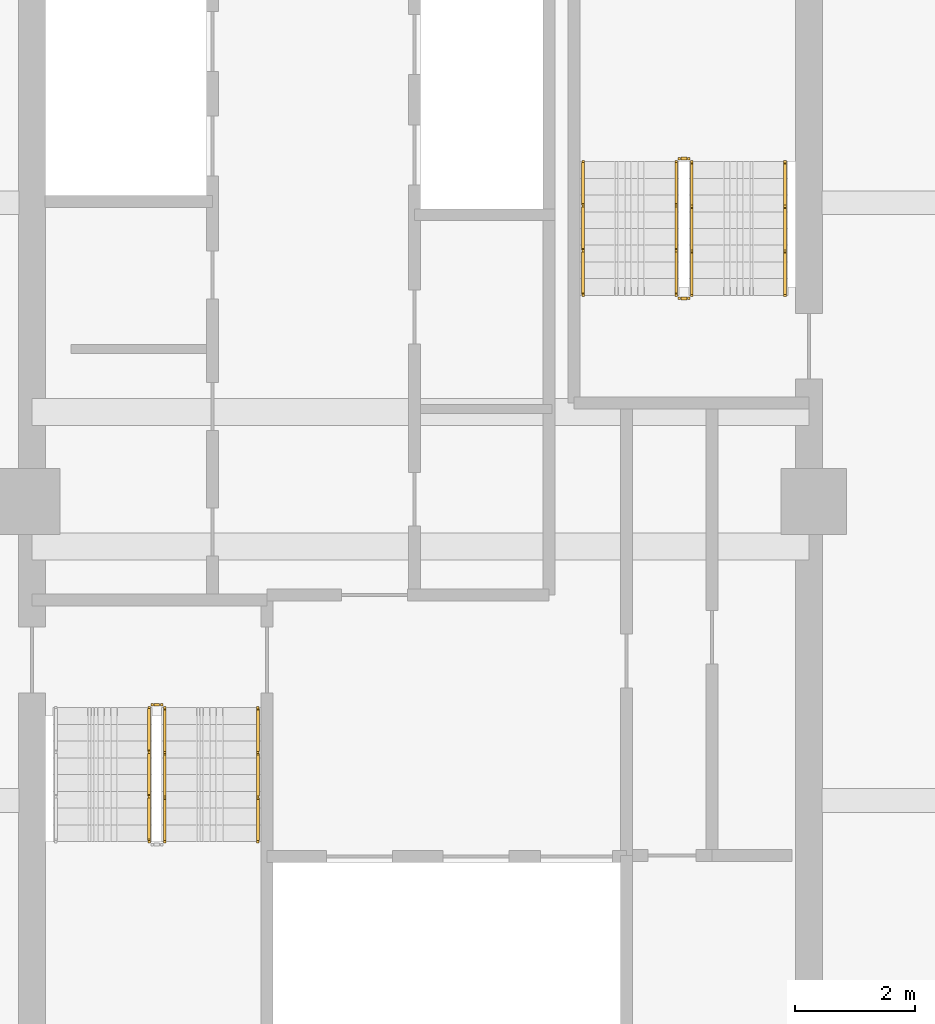
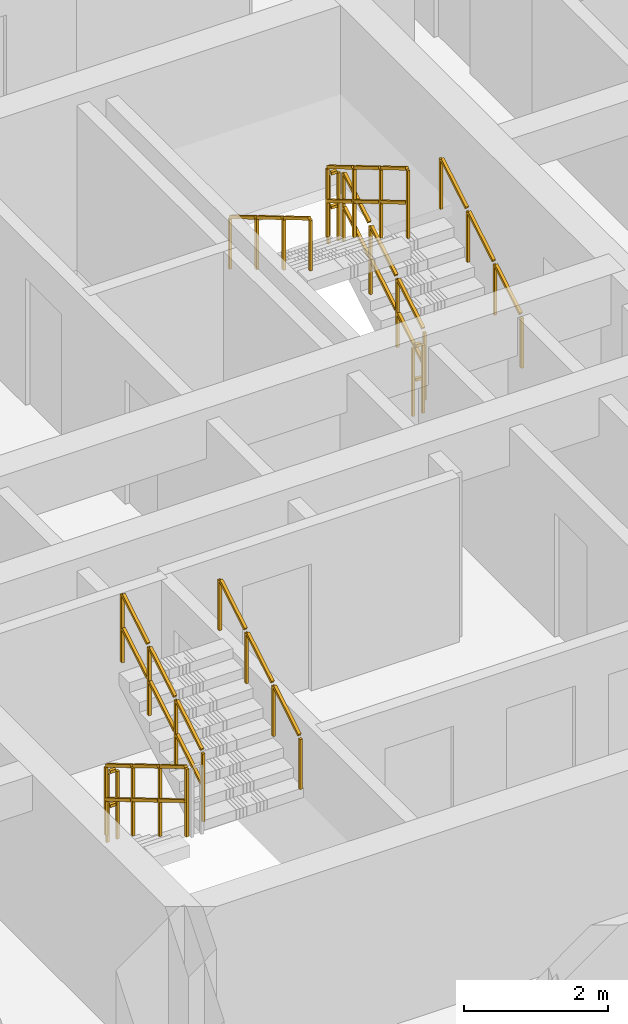
# One storey, part 11 of 13: 10 railings.
"""IFC4 building model written with IfcOpenShell, lengths in metres."""

from ifc_helpers import new_model, si_unit, direction, frame, origin, origin_2d, place, context, subcontext, project, spatial, rectangle, extrude, material, type_object, element, save


model = new_model("IFC4")

# Units and contexts
model_context = context("Model", 3, precision=1e-05, world=origin(), true_north=direction((0.0, 1.0)))
body_context = subcontext(model_context, "Body", "Model", "MODEL_VIEW")
ifc_project = project(units=[si_unit("LENGTHUNIT", "METRE"), si_unit("AREAUNIT", "SQUARE_METRE"), si_unit("VOLUMEUNIT", "CUBIC_METRE"), si_unit("PLANEANGLEUNIT", "RADIAN"), si_unit("MASSUNIT", "GRAM", prefix="KILO")], contexts=[model_context])

# Site, building, storey
site_placement = place(None, origin())
site = spatial("IfcSite", under=ifc_project, at=site_placement, CompositionType="ELEMENT")
building_placement = place(site_placement, origin())
building = spatial("IfcBuilding", under=site, at=building_placement, Name="Saelheon Loggia Tower", CompositionType="ELEMENT")
storey_placement = place(building_placement, frame((0.0, 0.0, 179.800048828125)))
storey = spatial("IfcBuildingStorey", under=building, at=storey_placement, Name="L56", CompositionType="ELEMENT", Elevation=179.800048828125)

# Railings
ifc_material_1 = material(Name="Galvanised Steel S275 Stairwell Guardrail", Category="steel")
railing_type_1 = type_object("IfcRailingType", Name="Guard_StairWell_RL_STG", PredefinedType="GUARDRAIL", material=ifc_material_1)
railing_1_placement = place(storey_placement, frame((33.4599609375, 23.550048828125, 0.16650390625)))
element("IfcRailing", 1, at=railing_1_placement, inside=storey, type_object=railing_type_1, Name="L56 ST1 stair guard 1", PredefinedType="GUARDRAIL", context=body_context, shape_type="SweptSolid", body=[
    extrude(rectangle(XDim=0.048095703125, YDim=0.048095703125, at=origin_2d()), frame((0.0, -0.028564453125, 1.19287109375), z_axis=(0.0, -0.859264461869, 0.511531606619), x_axis=(1.0, 0.0, 0.0)), (0.0, 0.0, 1.0), 0.802490234375),
    extrude(rectangle(XDim=0.048095703125, YDim=0.048095703125, at=origin_2d()), frame((0.0, -0.028564453125, 0.616943359375), z_axis=(0.0, -0.859264461869, 0.511531606619), x_axis=(1.0, 0.0, 0.0)), (0.0, 0.0, 1.0), 0.802490234375),
    extrude(rectangle(XDim=0.048095703125, YDim=0.048095703125, at=origin_2d()), frame((0.0, -0.775146484375, 1.637451171875), z_axis=(0.0, -0.859264461869, 0.511531606619), x_axis=(1.0, 0.0, 0.0)), (0.0, 0.0, 1.0), 0.802490234375),
    extrude(rectangle(XDim=0.048095703125, YDim=0.048095703125, at=origin_2d()), frame((0.0, -0.775146484375, 1.0615234375), z_axis=(0.0, -0.859264461869, 0.511531606619), x_axis=(1.0, 0.0, 0.0)), (0.0, 0.0, 1.0), 0.802490234375),
    extrude(rectangle(XDim=0.048095703125, YDim=0.048095703125, at=origin_2d()), frame((0.0, -1.52197265625, 2.081787109375), z_axis=(0.0, -0.859264461869, 0.511531606619), x_axis=(1.0, 0.0, 0.0)), (0.0, 0.0, 1.0), 0.802490234375),
    extrude(rectangle(XDim=0.048095703125, YDim=0.048095703125, at=origin_2d()), frame((0.0, -1.52197265625, 1.505859375), z_axis=(0.0, -0.859264461869, 0.511531606619), x_axis=(1.0, 0.0, 0.0)), (0.0, 0.0, 1.0), 0.802490234375),
    extrude(rectangle(XDim=0.0419921875, YDim=0.0419921875, at=origin_2d()), origin(), (0.0, 0.0, 1.0), 1.14794921875),
    extrude(rectangle(XDim=0.0419921875, YDim=0.0419921875, at=origin_2d()), frame((0.0, -0.74658203125, 0.444580078125)), (0.0, 0.0, 1.0), 1.14794921875),
    extrude(rectangle(XDim=0.0419921875, YDim=0.0419921875, at=origin_2d()), frame((0.0, -1.493408203125, 0.888916015625)), (0.0, 0.0, 1.0), 1.14794921875),
    extrude(rectangle(XDim=0.0419921875, YDim=0.0419921875, at=origin_2d()), frame((0.0, -2.239990234375, 1.33349609375)), (0.0, 0.0, 1.0), 1.14794921875),
])
railing_2_placement = place(storey_placement, frame((33.719970703125, 21.31005859375, 1.66650390625)))
element("IfcRailing", 2, at=railing_2_placement, inside=storey, type_object=railing_type_1, Name="L56 ST1 stair guard 3", PredefinedType="GUARDRAIL", context=body_context, shape_type="SweptSolid", body=[
    extrude(rectangle(XDim=0.048095703125, YDim=0.048095703125, at=origin_2d()), frame((0.0, 0.028564453125, 1.19287109375), z_axis=(0.0, 0.859264461869, 0.511531606619), x_axis=(-1.0, 0.0, 0.0)), (0.0, 0.0, 1.0), 0.802490234375),
    extrude(rectangle(XDim=0.048095703125, YDim=0.048095703125, at=origin_2d()), frame((0.0, 0.028564453125, 0.616943359375), z_axis=(0.0, 0.859264461869, 0.511531606619), x_axis=(-1.0, 0.0, 0.0)), (0.0, 0.0, 1.0), 0.802490234375),
    extrude(rectangle(XDim=0.048095703125, YDim=0.048095703125, at=origin_2d()), frame((0.0, 0.775146484375, 1.637451171875), z_axis=(0.0, 0.859264461869, 0.511531606619), x_axis=(-1.0, 0.0, 0.0)), (0.0, 0.0, 1.0), 0.802490234375),
    extrude(rectangle(XDim=0.048095703125, YDim=0.048095703125, at=origin_2d()), frame((0.0, 0.775146484375, 1.0615234375), z_axis=(0.0, 0.859264461869, 0.511531606619), x_axis=(-1.0, 0.0, 0.0)), (0.0, 0.0, 1.0), 0.802490234375),
    extrude(rectangle(XDim=0.048095703125, YDim=0.048095703125, at=origin_2d()), frame((0.0, 1.52197265625, 2.081787109375), z_axis=(0.0, 0.859264461869, 0.511531606619), x_axis=(-1.0, 0.0, 0.0)), (0.0, 0.0, 1.0), 0.802490234375),
    extrude(rectangle(XDim=0.048095703125, YDim=0.048095703125, at=origin_2d()), frame((0.0, 1.52197265625, 1.505859375), z_axis=(0.0, 0.859264461869, 0.511531606619), x_axis=(-1.0, 0.0, 0.0)), (0.0, 0.0, 1.0), 0.802490234375),
    extrude(rectangle(XDim=0.0419921875, YDim=0.0419921875, at=origin_2d()), origin(), (0.0, 0.0, 1.0), 1.14794921875),
    extrude(rectangle(XDim=0.0419921875, YDim=0.0419921875, at=origin_2d()), frame((0.0, 0.74658203125, 0.444580078125)), (0.0, 0.0, 1.0), 1.14794921875),
    extrude(rectangle(XDim=0.0419921875, YDim=0.0419921875, at=origin_2d()), frame((0.0, 1.493408203125, 0.888916015625)), (0.0, 0.0, 1.0), 1.14794921875),
    extrude(rectangle(XDim=0.0419921875, YDim=0.0419921875, at=origin_2d()), frame((0.0, 2.239990234375, 1.33349609375)), (0.0, 0.0, 1.0), 1.14794921875),
])
railing_3_placement = place(storey_placement, frame((33.510009765625, 23.60009765625, 0.0)))
element("IfcRailing", 3, at=railing_3_placement, inside=storey, type_object=railing_type_1, Name="L56 ST1 stair guard 4", PredefinedType="GUARDRAIL", context=body_context, shape_type="SweptSolid", body=[
    extrude(rectangle(XDim=0.048095703125, YDim=0.048095703125, at=origin_2d()), frame((0.033203125, 0.0, 1.17578125), z_axis=(1.0, 0.0, 0.0), x_axis=(0.0, 1.0, 0.0)), (0.0, 0.0, 1.0), 0.093505859375),
    extrude(rectangle(XDim=0.048095703125, YDim=0.048095703125, at=origin_2d()), frame((0.033203125, 0.0, 0.60009765625), z_axis=(1.0, 0.0, 0.0), x_axis=(0.0, 1.0, 0.0)), (0.0, 0.0, 1.0), 0.093505859375),
    extrude(rectangle(XDim=0.0419921875, YDim=0.0419921875, at=origin_2d()), origin(), (0.0, 0.0, 1.0), 1.14794921875),
    extrude(rectangle(XDim=0.0419921875, YDim=0.0419921875, at=origin_2d()), frame((0.159912109375, 0.0, 0.0)), (0.0, 0.0, 1.0), 1.14794921875),
])
railing_4_placement = place(storey_placement, frame((42.5400390625, 30.449951171875, 0.16650390625)))
element("IfcRailing", 4, at=railing_4_placement, inside=storey, type_object=railing_type_1, Name="L56 ST2 stair guard 1", PredefinedType="GUARDRAIL", context=body_context, shape_type="SweptSolid", body=[
    extrude(rectangle(XDim=0.048095703125, YDim=0.048095703125, at=origin_2d()), frame((0.0, 0.028564453125, 1.19287109375), z_axis=(0.0, 0.859264461869, 0.511531606619), x_axis=(-1.0, 0.0, 0.0)), (0.0, 0.0, 1.0), 0.802490234375),
    extrude(rectangle(XDim=0.048095703125, YDim=0.048095703125, at=origin_2d()), frame((0.0, 0.028564453125, 0.616943359375), z_axis=(0.0, 0.859264461869, 0.511531606619), x_axis=(-1.0, 0.0, 0.0)), (0.0, 0.0, 1.0), 0.802490234375),
    extrude(rectangle(XDim=0.048095703125, YDim=0.048095703125, at=origin_2d()), frame((0.0, 0.775146484375, 1.637451171875), z_axis=(0.0, 0.859264461869, 0.511531606619), x_axis=(-1.0, 0.0, 0.0)), (0.0, 0.0, 1.0), 0.802490234375),
    extrude(rectangle(XDim=0.048095703125, YDim=0.048095703125, at=origin_2d()), frame((0.0, 0.775146484375, 1.0615234375), z_axis=(0.0, 0.859264461869, 0.511531606619), x_axis=(-1.0, 0.0, 0.0)), (0.0, 0.0, 1.0), 0.802490234375),
    extrude(rectangle(XDim=0.048095703125, YDim=0.048095703125, at=origin_2d()), frame((0.0, 1.52197265625, 2.081787109375), z_axis=(0.0, 0.859264461869, 0.511531606619), x_axis=(-1.0, 0.0, 0.0)), (0.0, 0.0, 1.0), 0.802490234375),
    extrude(rectangle(XDim=0.048095703125, YDim=0.048095703125, at=origin_2d()), frame((0.0, 1.52197265625, 1.505859375), z_axis=(0.0, 0.859264461869, 0.511531606619), x_axis=(-1.0, 0.0, 0.0)), (0.0, 0.0, 1.0), 0.802490234375),
    extrude(rectangle(XDim=0.0419921875, YDim=0.0419921875, at=origin_2d()), origin(), (0.0, 0.0, 1.0), 1.14794921875),
    extrude(rectangle(XDim=0.0419921875, YDim=0.0419921875, at=origin_2d()), frame((0.0, 0.74658203125, 0.444580078125)), (0.0, 0.0, 1.0), 1.14794921875),
    extrude(rectangle(XDim=0.0419921875, YDim=0.0419921875, at=origin_2d()), frame((0.0, 1.493408203125, 0.888916015625)), (0.0, 0.0, 1.0), 1.14794921875),
    extrude(rectangle(XDim=0.0419921875, YDim=0.0419921875, at=origin_2d()), frame((0.0, 2.239990234375, 1.33349609375)), (0.0, 0.0, 1.0), 1.14794921875),
])
railing_5_placement = place(storey_placement, frame((42.489990234375, 32.739990234375, 1.5)))
element("IfcRailing", 5, at=railing_5_placement, inside=storey, type_object=railing_type_1, Name="L56 ST2 stair guard 2", PredefinedType="GUARDRAIL", context=body_context, shape_type="SweptSolid", body=[
    extrude(rectangle(XDim=0.048095703125, YDim=0.048095703125, at=origin_2d()), frame((-0.033203125, 0.0, 1.17578125), z_axis=(-1.0, 0.0, 0.0), x_axis=(0.0, -1.0, 0.0)), (0.0, 0.0, 1.0), 0.093505859375),
    extrude(rectangle(XDim=0.048095703125, YDim=0.048095703125, at=origin_2d()), frame((-0.033203125, 0.0, 0.60009765625), z_axis=(-1.0, 0.0, 0.0), x_axis=(0.0, -1.0, 0.0)), (0.0, 0.0, 1.0), 0.093505859375),
    extrude(rectangle(XDim=0.0419921875, YDim=0.0419921875, at=origin_2d()), origin(), (0.0, 0.0, 1.0), 1.14794921875),
    extrude(rectangle(XDim=0.0419921875, YDim=0.0419921875, at=origin_2d()), frame((-0.159912109375, 0.0, 0.0)), (0.0, 0.0, 1.0), 1.14794921875),
])
railing_6_placement = place(storey_placement, frame((42.280029296875, 32.68994140625, 1.66650390625)))
element("IfcRailing", 6, at=railing_6_placement, inside=storey, type_object=railing_type_1, Name="L56 ST2 stair guard 3", PredefinedType="GUARDRAIL", context=body_context, shape_type="SweptSolid", body=[
    extrude(rectangle(XDim=0.048095703125, YDim=0.048095703125, at=origin_2d()), frame((0.0, -0.028564453125, 1.19287109375), z_axis=(0.0, -0.859264461869, 0.511531606619), x_axis=(1.0, 0.0, 0.0)), (0.0, 0.0, 1.0), 0.802490234375),
    extrude(rectangle(XDim=0.048095703125, YDim=0.048095703125, at=origin_2d()), frame((0.0, -0.028564453125, 0.616943359375), z_axis=(0.0, -0.859264461869, 0.511531606619), x_axis=(1.0, 0.0, 0.0)), (0.0, 0.0, 1.0), 0.802490234375),
    extrude(rectangle(XDim=0.048095703125, YDim=0.048095703125, at=origin_2d()), frame((0.0, -0.775146484375, 1.637451171875), z_axis=(0.0, -0.859264461869, 0.511531606619), x_axis=(1.0, 0.0, 0.0)), (0.0, 0.0, 1.0), 0.802490234375),
    extrude(rectangle(XDim=0.048095703125, YDim=0.048095703125, at=origin_2d()), frame((0.0, -0.775146484375, 1.0615234375), z_axis=(0.0, -0.859264461869, 0.511531606619), x_axis=(1.0, 0.0, 0.0)), (0.0, 0.0, 1.0), 0.802490234375),
    extrude(rectangle(XDim=0.048095703125, YDim=0.048095703125, at=origin_2d()), frame((0.0, -1.52197265625, 2.081787109375), z_axis=(0.0, -0.859264461869, 0.511531606619), x_axis=(1.0, 0.0, 0.0)), (0.0, 0.0, 1.0), 0.802490234375),
    extrude(rectangle(XDim=0.048095703125, YDim=0.048095703125, at=origin_2d()), frame((0.0, -1.52197265625, 1.505859375), z_axis=(0.0, -0.859264461869, 0.511531606619), x_axis=(1.0, 0.0, 0.0)), (0.0, 0.0, 1.0), 0.802490234375),
    extrude(rectangle(XDim=0.0419921875, YDim=0.0419921875, at=origin_2d()), origin(), (0.0, 0.0, 1.0), 1.14794921875),
    extrude(rectangle(XDim=0.0419921875, YDim=0.0419921875, at=origin_2d()), frame((0.0, -0.74658203125, 0.444580078125)), (0.0, 0.0, 1.0), 1.14794921875),
    extrude(rectangle(XDim=0.0419921875, YDim=0.0419921875, at=origin_2d()), frame((0.0, -1.493408203125, 0.888916015625)), (0.0, 0.0, 1.0), 1.14794921875),
    extrude(rectangle(XDim=0.0419921875, YDim=0.0419921875, at=origin_2d()), frame((0.0, -2.239990234375, 1.33349609375)), (0.0, 0.0, 1.0), 1.14794921875),
])
railing_7_placement = place(storey_placement, frame((42.489990234375, 30.39990234375, 0.0)))
element("IfcRailing", 7, at=railing_7_placement, inside=storey, type_object=railing_type_1, Name="L56 ST2 stair guard 4", PredefinedType="GUARDRAIL", context=body_context, shape_type="SweptSolid", body=[
    extrude(rectangle(XDim=0.048095703125, YDim=0.048095703125, at=origin_2d()), frame((-0.033203125, 0.0, 1.17578125), z_axis=(-1.0, 0.0, 0.0), x_axis=(0.0, -1.0, 0.0)), (0.0, 0.0, 1.0), 0.093505859375),
    extrude(rectangle(XDim=0.048095703125, YDim=0.048095703125, at=origin_2d()), frame((-0.033203125, 0.0, 0.60009765625), z_axis=(-1.0, 0.0, 0.0), x_axis=(0.0, -1.0, 0.0)), (0.0, 0.0, 1.0), 0.093505859375),
    extrude(rectangle(XDim=0.0419921875, YDim=0.0419921875, at=origin_2d()), origin(), (0.0, 0.0, 1.0), 1.14794921875),
    extrude(rectangle(XDim=0.0419921875, YDim=0.0419921875, at=origin_2d()), frame((-0.159912109375, 0.0, 0.0)), (0.0, 0.0, 1.0), 1.14794921875),
])
ifc_material_2 = material(Name="Stainless Steel 304 Tubular Handrail", Category="steel")
railing_type_2 = type_object("IfcRailingType", Name="Handrail_Stair_RL_HR1", PredefinedType="HANDRAIL", material=ifc_material_2)
for number, where, name in (
    (8, (35.280029296875, 21.31005859375, 1.66650390625), "L56 ST1 stair handrail 2"),
    (9, (44.10009765625, 30.449951171875, 0.16650390625), "L56 ST2 stair handrail 1"),
):
    element("IfcRailing", number, at=place(storey_placement, frame(where)), inside=storey, type_object=railing_type_2, Name=name, PredefinedType="HANDRAIL", context=body_context, shape_type="SweptSolid", body=[
        extrude(rectangle(XDim=0.048095703125, YDim=0.048095703125, at=origin_2d()), frame((0.0, 0.028564453125, 0.892822265625), z_axis=(0.0, 0.859264461869, 0.511531606619), x_axis=(-1.0, 0.0, 0.0)), (0.0, 0.0, 1.0), 0.802490234375),
        extrude(rectangle(XDim=0.048095703125, YDim=0.048095703125, at=origin_2d()), frame((0.0, 0.775146484375, 1.33740234375), z_axis=(0.0, 0.859264461869, 0.511531606619), x_axis=(-1.0, 0.0, 0.0)), (0.0, 0.0, 1.0), 0.802490234375),
        extrude(rectangle(XDim=0.048095703125, YDim=0.048095703125, at=origin_2d()), frame((0.0, 1.52197265625, 1.78173828125), z_axis=(0.0, 0.859264461869, 0.511531606619), x_axis=(-1.0, 0.0, 0.0)), (0.0, 0.0, 1.0), 0.802490234375),
        extrude(rectangle(XDim=0.0419921875, YDim=0.0419921875, at=origin_2d()), origin(), (0.0, 0.0, 1.0), 0.847900390625),
        extrude(rectangle(XDim=0.0419921875, YDim=0.0419921875, at=origin_2d()), frame((0.0, 0.74658203125, 0.444580078125)), (0.0, 0.0, 1.0), 0.847900390625),
        extrude(rectangle(XDim=0.0419921875, YDim=0.0419921875, at=origin_2d()), frame((0.0, 1.493408203125, 0.888916015625)), (0.0, 0.0, 1.0), 0.847900390625),
        extrude(rectangle(XDim=0.0419921875, YDim=0.0419921875, at=origin_2d()), frame((0.0, 2.239990234375, 1.33349609375)), (0.0, 0.0, 1.0), 0.847900390625),
    ])
railing_8_placement = place(storey_placement, frame((40.719970703125, 32.68994140625, 1.66650390625)))
element("IfcRailing", 10, at=railing_8_placement, inside=storey, type_object=railing_type_2, Name="L56 ST2 stair handrail 2", PredefinedType="HANDRAIL", context=body_context, shape_type="SweptSolid", body=[
    extrude(rectangle(XDim=0.048095703125, YDim=0.048095703125, at=origin_2d()), frame((0.0, -0.028564453125, 0.892822265625), z_axis=(0.0, -0.859264461869, 0.511531606619), x_axis=(1.0, 0.0, 0.0)), (0.0, 0.0, 1.0), 0.802490234375),
    extrude(rectangle(XDim=0.048095703125, YDim=0.048095703125, at=origin_2d()), frame((0.0, -0.775146484375, 1.33740234375), z_axis=(0.0, -0.859264461869, 0.511531606619), x_axis=(1.0, 0.0, 0.0)), (0.0, 0.0, 1.0), 0.802490234375),
    extrude(rectangle(XDim=0.048095703125, YDim=0.048095703125, at=origin_2d()), frame((0.0, -1.52197265625, 1.78173828125), z_axis=(0.0, -0.859264461869, 0.511531606619), x_axis=(1.0, 0.0, 0.0)), (0.0, 0.0, 1.0), 0.802490234375),
    extrude(rectangle(XDim=0.0419921875, YDim=0.0419921875, at=origin_2d()), origin(), (0.0, 0.0, 1.0), 0.847900390625),
    extrude(rectangle(XDim=0.0419921875, YDim=0.0419921875, at=origin_2d()), frame((0.0, -0.74658203125, 0.444580078125)), (0.0, 0.0, 1.0), 0.847900390625),
    extrude(rectangle(XDim=0.0419921875, YDim=0.0419921875, at=origin_2d()), frame((0.0, -1.493408203125, 0.888916015625)), (0.0, 0.0, 1.0), 0.847900390625),
    extrude(rectangle(XDim=0.0419921875, YDim=0.0419921875, at=origin_2d()), frame((0.0, -2.239990234375, 1.33349609375)), (0.0, 0.0, 1.0), 0.847900390625),
])

save(model, "model.ifc")
